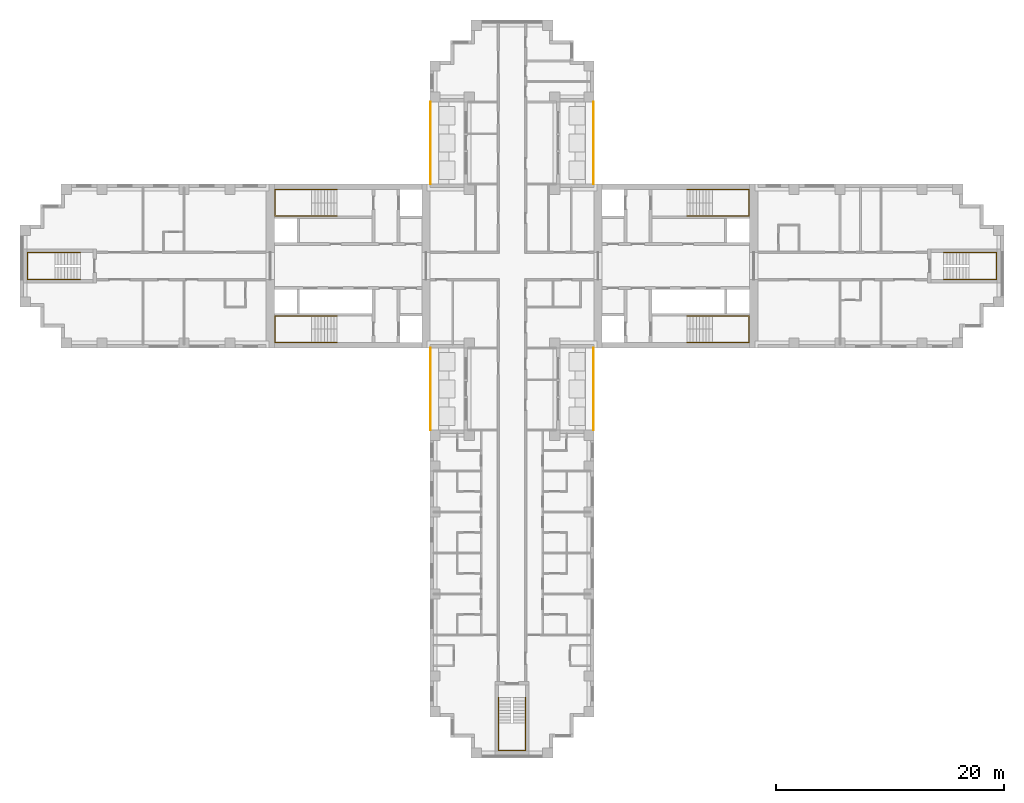
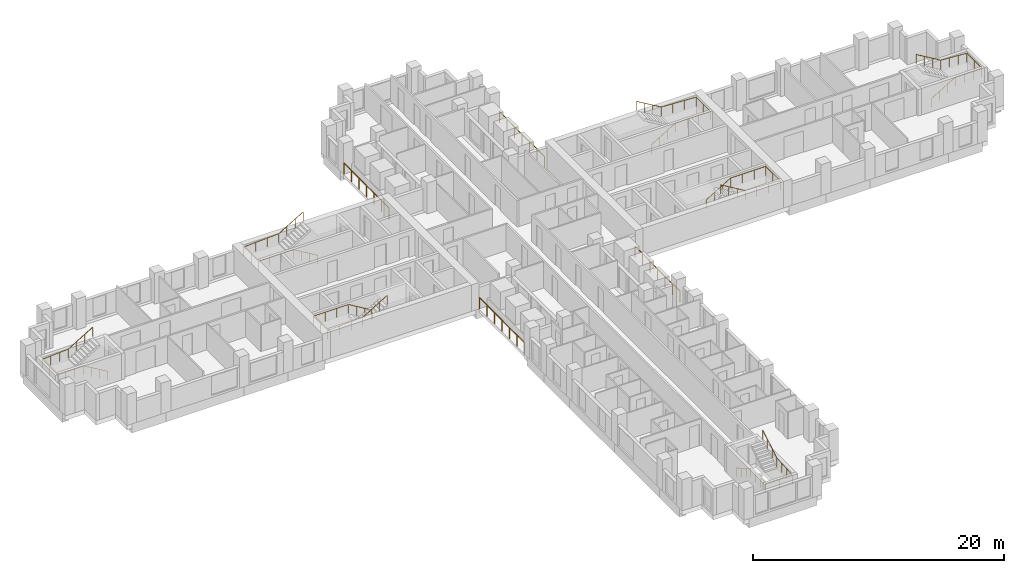
# One storey, part 13 of 14: 11 railings.
"""IFC4 building model written with IfcOpenShell, lengths in metres."""

from ifc_helpers import new_model, si_unit, direction, frame, origin, origin_2d, place, context, subcontext, project, spatial, circle, extrude, material, type_object, element, save


model = new_model("IFC4")

# Units and contexts
model_context = context("Model", 3, precision=1e-05, world=origin(), true_north=direction((0.0, 1.0)))
body_context = subcontext(model_context, "Body", "Model", "MODEL_VIEW")
ifc_project = project(units=[si_unit("LENGTHUNIT", "METRE"), si_unit("AREAUNIT", "SQUARE_METRE"), si_unit("VOLUMEUNIT", "CUBIC_METRE"), si_unit("PLANEANGLEUNIT", "RADIAN"), si_unit("MASSUNIT", "GRAM", prefix="KILO")], contexts=[model_context])

# Site, building, storey
site_placement = place(None, origin())
site = spatial("IfcSite", under=ifc_project, at=site_placement, CompositionType="ELEMENT")
building_placement = place(site_placement, origin())
building = spatial("IfcBuilding", under=site, at=building_placement, Name="Fustian Cross Tower", CompositionType="ELEMENT")
storey_placement = place(building_placement, frame((0.0, 0.0, 93.89990234375)))
storey = spatial("IfcBuildingStorey", under=building, at=storey_placement, Name="L29", CompositionType="ELEMENT", Elevation=93.89990234375)

# Railings
ifc_material_1 = material(Name="Stainless steel and glass", Category="steel")
railing_type_1 = type_object("IfcRailingType", Name="GR1 BALCONY GUARD 1100", PredefinedType="GUARDRAIL", material=ifc_material_1)
for number, where, name in (
    (1, (7.14990234375, 7.199951171875, 0.0), "Balcony guard"),
    (2, (-7.14990234375, 7.199951171875, 0.0), "Balcony guard"),
    (3, (7.14990234375, -14.39990234375, 0.0), "Balcony guard"),
    (4, (-7.14990234375, -14.39990234375, 0.0), "Balcony guard"),
):
    element("IfcRailing", number, at=place(storey_placement, frame(where)), inside=storey, type_object=railing_type_1, Name=name, PredefinedType="GUARDRAIL", context=body_context, shape_type="SweptSolid", body=[
        extrude(circle(Radius=0.02392578125, at=origin_2d()), frame((0.0, 0.0, 1.076171875), z_axis=(0.0, 1.0, 0.0), x_axis=(-1.0, 0.0, 0.0)), (0.0, 0.0, 1.0), 7.199951171875),
        extrude(circle(Radius=0.02099609375, at=origin_2d()), origin(), (0.0, 0.0, 1.0), 1.052001953125),
        extrude(circle(Radius=0.02099609375, at=origin_2d()), frame((0.0, 1.199951171875, 0.0)), (0.0, 0.0, 1.0), 1.052001953125),
        extrude(circle(Radius=0.02099609375, at=origin_2d()), frame((0.0, 2.39990234375, 0.0)), (0.0, 0.0, 1.0), 1.052001953125),
        extrude(circle(Radius=0.02099609375, at=origin_2d()), frame((0.0, 3.60009765625, 0.0)), (0.0, 0.0, 1.0), 1.052001953125),
        extrude(circle(Radius=0.02099609375, at=origin_2d()), frame((0.0, 4.800048828125, 0.0)), (0.0, 0.0, 1.0), 1.052001953125),
        extrude(circle(Radius=0.02099609375, at=origin_2d()), frame((0.0, 6.0, 0.0)), (0.0, 0.0, 1.0), 1.052001953125),
        extrude(circle(Radius=0.02099609375, at=origin_2d()), frame((0.0, 7.199951171875, 0.0)), (0.0, 0.0, 1.0), 1.052001953125),
    ])
ifc_material_2 = material(Name="Stainless steel", Category="steel")
railing_type_2 = type_object("IfcRailingType", Name="STAIR HANDRAIL", PredefinedType="HANDRAIL", material=ifc_material_2)
railing_1_placement = place(storey_placement, frame((15.35009765625, 4.39990234375, 0.166748046875)))
element("IfcRailing", 5, at=railing_1_placement, inside=storey, type_object=railing_type_2, Name="Stair ST1 handrail 1", PredefinedType="HANDRAIL", context=body_context, shape_type="SweptSolid", body=[
    extrude(circle(Radius=0.02490234375, at=origin_2d()), frame((0.0, 0.0, 0.875), z_axis=(0.859305625298, 0.0, 0.511462454469), x_axis=(0.0, 1.0, 0.0)), (0.0, 0.0, 1.0), 2.606689453125),
    extrude(circle(Radius=0.02490234375, at=origin_2d()), frame((2.239990234375, 0.0, 2.2080078125), z_axis=(1.0, 0.0, 0.0), x_axis=(0.0, 1.0, 0.0)), (0.0, 0.0, 1.0), 3.219970703125),
    extrude(circle(Radius=0.02490234375, at=origin_2d()), frame((5.4599609375, 0.0, 2.2080078125), z_axis=(0.0, 1.0, 0.0), x_axis=(-1.0, 0.0, 0.0)), (0.0, 0.0, 1.0), 2.300048828125),
    extrude(circle(Radius=0.02490234375, at=origin_2d()), frame((5.4599609375, 2.300048828125, 2.2080078125), z_axis=(-0.998661817807, 0.0, 0.051716280352), x_axis=(0.0, -1.0, 0.0)), (0.0, 0.0, 1.0), 3.224365234375),
    extrude(circle(Radius=0.02490234375, at=origin_2d()), frame((2.239990234375, 2.300048828125, 2.375), z_axis=(-0.859305625298, 0.0, 0.511462454469), x_axis=(0.0, -1.0, 0.0)), (0.0, 0.0, 1.0), 2.606689453125),
    extrude(circle(Radius=0.02001953125, at=origin_2d()), origin(), (0.0, 0.0, 1.0), 0.849853515625),
    extrude(circle(Radius=0.02001953125, at=origin_2d()), frame((0.74658203125, 0.0, 0.4443359375)), (0.0, 0.0, 1.0), 0.849853515625),
    extrude(circle(Radius=0.02001953125, at=origin_2d()), frame((1.493408203125, 0.0, 0.888916015625)), (0.0, 0.0, 1.0), 0.849853515625),
    extrude(circle(Radius=0.02001953125, at=origin_2d()), frame((2.239990234375, 0.0, 1.333251953125)), (0.0, 0.0, 1.0), 0.849853515625),
    extrude(circle(Radius=0.02001953125, at=origin_2d()), frame((3.313232421875, 0.0, 1.333251953125)), (0.0, 0.0, 1.0), 0.849853515625),
    extrude(circle(Radius=0.02001953125, at=origin_2d()), frame((4.38671875, 0.0, 1.333251953125)), (0.0, 0.0, 1.0), 0.849853515625),
    extrude(circle(Radius=0.02001953125, at=origin_2d()), frame((5.4599609375, 0.0, 1.333251953125)), (0.0, 0.0, 1.0), 0.849853515625),
    extrude(circle(Radius=0.02001953125, at=origin_2d()), frame((5.4599609375, 1.14990234375, 1.333251953125)), (0.0, 0.0, 1.0), 0.849853515625),
    extrude(circle(Radius=0.02001953125, at=origin_2d()), frame((5.4599609375, 2.300048828125, 1.333251953125)), (0.0, 0.0, 1.0), 0.849853515625),
    extrude(circle(Radius=0.02001953125, at=origin_2d()), frame((4.38671875, 2.300048828125, 1.388916015625)), (0.0, 0.0, 1.0), 0.849853515625),
    extrude(circle(Radius=0.02001953125, at=origin_2d()), frame((3.313232421875, 2.300048828125, 1.4443359375)), (0.0, 0.0, 1.0), 0.849853515625),
    extrude(circle(Radius=0.02001953125, at=origin_2d()), frame((2.239990234375, 2.300048828125, 1.5)), (0.0, 0.0, 1.0), 0.849853515625),
    extrude(circle(Radius=0.02001953125, at=origin_2d()), frame((1.493408203125, 2.300048828125, 1.9443359375)), (0.0, 0.0, 1.0), 0.849853515625),
    extrude(circle(Radius=0.02001953125, at=origin_2d()), frame((0.74658203125, 2.300048828125, 2.388916015625)), (0.0, 0.0, 1.0), 0.849853515625),
    extrude(circle(Radius=0.02001953125, at=origin_2d()), frame((0.0, 2.300048828125, 2.833251953125)), (0.0, 0.0, 1.0), 0.849853515625),
])
railing_2_placement = place(storey_placement, frame((15.35009765625, -4.39990234375, 0.166748046875)))
element("IfcRailing", 6, at=railing_2_placement, inside=storey, type_object=railing_type_2, Name="Stair ST2 handrail 1", PredefinedType="HANDRAIL", context=body_context, shape_type="SweptSolid", body=[
    extrude(circle(Radius=0.02490234375, at=origin_2d()), frame((0.0, 0.0, 0.875), z_axis=(0.859305625298, 0.0, 0.511462454469), x_axis=(0.0, 1.0, 0.0)), (0.0, 0.0, 1.0), 2.606689453125),
    extrude(circle(Radius=0.02490234375, at=origin_2d()), frame((2.239990234375, 0.0, 2.2080078125), z_axis=(1.0, 0.0, 0.0), x_axis=(0.0, 1.0, 0.0)), (0.0, 0.0, 1.0), 3.219970703125),
    extrude(circle(Radius=0.02490234375, at=origin_2d()), frame((5.4599609375, 0.0, 2.2080078125), z_axis=(0.0, -1.0, 0.0), x_axis=(1.0, 0.0, 0.0)), (0.0, 0.0, 1.0), 2.300048828125),
    extrude(circle(Radius=0.02490234375, at=origin_2d()), frame((5.4599609375, -2.300048828125, 2.2080078125), z_axis=(-0.998661817807, 0.0, 0.051716280352), x_axis=(0.0, -1.0, 0.0)), (0.0, 0.0, 1.0), 3.224365234375),
    extrude(circle(Radius=0.02490234375, at=origin_2d()), frame((2.239990234375, -2.300048828125, 2.375), z_axis=(-0.859305625298, 0.0, 0.511462454469), x_axis=(0.0, -1.0, 0.0)), (0.0, 0.0, 1.0), 2.606689453125),
    extrude(circle(Radius=0.02001953125, at=origin_2d()), origin(), (0.0, 0.0, 1.0), 0.849853515625),
    extrude(circle(Radius=0.02001953125, at=origin_2d()), frame((0.74658203125, 0.0, 0.4443359375)), (0.0, 0.0, 1.0), 0.849853515625),
    extrude(circle(Radius=0.02001953125, at=origin_2d()), frame((1.493408203125, 0.0, 0.888916015625)), (0.0, 0.0, 1.0), 0.849853515625),
    extrude(circle(Radius=0.02001953125, at=origin_2d()), frame((2.239990234375, 0.0, 1.333251953125)), (0.0, 0.0, 1.0), 0.849853515625),
    extrude(circle(Radius=0.02001953125, at=origin_2d()), frame((3.313232421875, 0.0, 1.333251953125)), (0.0, 0.0, 1.0), 0.849853515625),
    extrude(circle(Radius=0.02001953125, at=origin_2d()), frame((4.38671875, 0.0, 1.333251953125)), (0.0, 0.0, 1.0), 0.849853515625),
    extrude(circle(Radius=0.02001953125, at=origin_2d()), frame((5.4599609375, 0.0, 1.333251953125)), (0.0, 0.0, 1.0), 0.849853515625),
    extrude(circle(Radius=0.02001953125, at=origin_2d()), frame((5.4599609375, -1.14990234375, 1.333251953125)), (0.0, 0.0, 1.0), 0.849853515625),
    extrude(circle(Radius=0.02001953125, at=origin_2d()), frame((5.4599609375, -2.300048828125, 1.333251953125)), (0.0, 0.0, 1.0), 0.849853515625),
    extrude(circle(Radius=0.02001953125, at=origin_2d()), frame((4.38671875, -2.300048828125, 1.388916015625)), (0.0, 0.0, 1.0), 0.849853515625),
    extrude(circle(Radius=0.02001953125, at=origin_2d()), frame((3.313232421875, -2.300048828125, 1.4443359375)), (0.0, 0.0, 1.0), 0.849853515625),
    extrude(circle(Radius=0.02001953125, at=origin_2d()), frame((2.239990234375, -2.300048828125, 1.5)), (0.0, 0.0, 1.0), 0.849853515625),
    extrude(circle(Radius=0.02001953125, at=origin_2d()), frame((1.493408203125, -2.300048828125, 1.9443359375)), (0.0, 0.0, 1.0), 0.849853515625),
    extrude(circle(Radius=0.02001953125, at=origin_2d()), frame((0.74658203125, -2.300048828125, 2.388916015625)), (0.0, 0.0, 1.0), 0.849853515625),
    extrude(circle(Radius=0.02001953125, at=origin_2d()), frame((0.0, -2.300048828125, 2.833251953125)), (0.0, 0.0, 1.0), 0.849853515625),
])
railing_3_placement = place(storey_placement, frame((-15.35009765625, 4.39990234375, 0.166748046875)))
element("IfcRailing", 7, at=railing_3_placement, inside=storey, type_object=railing_type_2, Name="Stair ST3 handrail 1", PredefinedType="HANDRAIL", context=body_context, shape_type="SweptSolid", body=[
    extrude(circle(Radius=0.02490234375, at=origin_2d()), frame((0.0, 0.0, 0.875), z_axis=(-0.859305625298, 0.0, 0.511462454469), x_axis=(0.0, -1.0, 0.0)), (0.0, 0.0, 1.0), 2.606689453125),
    extrude(circle(Radius=0.02490234375, at=origin_2d()), frame((-2.239990234375, 0.0, 2.2080078125), z_axis=(-1.0, 0.0, 0.0), x_axis=(0.0, -1.0, 0.0)), (0.0, 0.0, 1.0), 3.219970703125),
    extrude(circle(Radius=0.02490234375, at=origin_2d()), frame((-5.4599609375, 0.0, 2.2080078125), z_axis=(0.0, 1.0, 0.0), x_axis=(-1.0, 0.0, 0.0)), (0.0, 0.0, 1.0), 2.300048828125),
    extrude(circle(Radius=0.02490234375, at=origin_2d()), frame((-5.4599609375, 2.300048828125, 2.2080078125), z_axis=(0.998661817807, 0.0, 0.051716280352), x_axis=(0.0, 1.0, 0.0)), (0.0, 0.0, 1.0), 3.224365234375),
    extrude(circle(Radius=0.02490234375, at=origin_2d()), frame((-2.239990234375, 2.300048828125, 2.375), z_axis=(0.859305625298, 0.0, 0.511462454469), x_axis=(0.0, 1.0, 0.0)), (0.0, 0.0, 1.0), 2.606689453125),
    extrude(circle(Radius=0.02001953125, at=origin_2d()), origin(), (0.0, 0.0, 1.0), 0.849853515625),
    extrude(circle(Radius=0.02001953125, at=origin_2d()), frame((-0.74658203125, 0.0, 0.4443359375)), (0.0, 0.0, 1.0), 0.849853515625),
    extrude(circle(Radius=0.02001953125, at=origin_2d()), frame((-1.493408203125, 0.0, 0.888916015625)), (0.0, 0.0, 1.0), 0.849853515625),
    extrude(circle(Radius=0.02001953125, at=origin_2d()), frame((-2.239990234375, 0.0, 1.333251953125)), (0.0, 0.0, 1.0), 0.849853515625),
    extrude(circle(Radius=0.02001953125, at=origin_2d()), frame((-3.313232421875, 0.0, 1.333251953125)), (0.0, 0.0, 1.0), 0.849853515625),
    extrude(circle(Radius=0.02001953125, at=origin_2d()), frame((-4.38671875, 0.0, 1.333251953125)), (0.0, 0.0, 1.0), 0.849853515625),
    extrude(circle(Radius=0.02001953125, at=origin_2d()), frame((-5.4599609375, 0.0, 1.333251953125)), (0.0, 0.0, 1.0), 0.849853515625),
    extrude(circle(Radius=0.02001953125, at=origin_2d()), frame((-5.4599609375, 1.14990234375, 1.333251953125)), (0.0, 0.0, 1.0), 0.849853515625),
    extrude(circle(Radius=0.02001953125, at=origin_2d()), frame((-5.4599609375, 2.300048828125, 1.333251953125)), (0.0, 0.0, 1.0), 0.849853515625),
    extrude(circle(Radius=0.02001953125, at=origin_2d()), frame((-4.38671875, 2.300048828125, 1.388916015625)), (0.0, 0.0, 1.0), 0.849853515625),
    extrude(circle(Radius=0.02001953125, at=origin_2d()), frame((-3.313232421875, 2.300048828125, 1.4443359375)), (0.0, 0.0, 1.0), 0.849853515625),
    extrude(circle(Radius=0.02001953125, at=origin_2d()), frame((-2.239990234375, 2.300048828125, 1.5)), (0.0, 0.0, 1.0), 0.849853515625),
    extrude(circle(Radius=0.02001953125, at=origin_2d()), frame((-1.493408203125, 2.300048828125, 1.9443359375)), (0.0, 0.0, 1.0), 0.849853515625),
    extrude(circle(Radius=0.02001953125, at=origin_2d()), frame((-0.74658203125, 2.300048828125, 2.388916015625)), (0.0, 0.0, 1.0), 0.849853515625),
    extrude(circle(Radius=0.02001953125, at=origin_2d()), frame((0.0, 2.300048828125, 2.833251953125)), (0.0, 0.0, 1.0), 0.849853515625),
])
railing_4_placement = place(storey_placement, frame((-15.35009765625, -4.39990234375, 0.166748046875)))
element("IfcRailing", 8, at=railing_4_placement, inside=storey, type_object=railing_type_2, Name="Stair ST4 handrail 1", PredefinedType="HANDRAIL", context=body_context, shape_type="SweptSolid", body=[
    extrude(circle(Radius=0.02490234375, at=origin_2d()), frame((0.0, 0.0, 0.875), z_axis=(-0.859305625298, 0.0, 0.511462454469), x_axis=(0.0, -1.0, 0.0)), (0.0, 0.0, 1.0), 2.606689453125),
    extrude(circle(Radius=0.02490234375, at=origin_2d()), frame((-2.239990234375, 0.0, 2.2080078125), z_axis=(-1.0, 0.0, 0.0), x_axis=(0.0, -1.0, 0.0)), (0.0, 0.0, 1.0), 3.219970703125),
    extrude(circle(Radius=0.02490234375, at=origin_2d()), frame((-5.4599609375, 0.0, 2.2080078125), z_axis=(0.0, -1.0, 0.0), x_axis=(1.0, 0.0, 0.0)), (0.0, 0.0, 1.0), 2.300048828125),
    extrude(circle(Radius=0.02490234375, at=origin_2d()), frame((-5.4599609375, -2.300048828125, 2.2080078125), z_axis=(0.998661817807, 0.0, 0.051716280352), x_axis=(0.0, 1.0, 0.0)), (0.0, 0.0, 1.0), 3.224365234375),
    extrude(circle(Radius=0.02490234375, at=origin_2d()), frame((-2.239990234375, -2.300048828125, 2.375), z_axis=(0.859305625298, 0.0, 0.511462454469), x_axis=(0.0, 1.0, 0.0)), (0.0, 0.0, 1.0), 2.606689453125),
    extrude(circle(Radius=0.02001953125, at=origin_2d()), origin(), (0.0, 0.0, 1.0), 0.849853515625),
    extrude(circle(Radius=0.02001953125, at=origin_2d()), frame((-0.74658203125, 0.0, 0.4443359375)), (0.0, 0.0, 1.0), 0.849853515625),
    extrude(circle(Radius=0.02001953125, at=origin_2d()), frame((-1.493408203125, 0.0, 0.888916015625)), (0.0, 0.0, 1.0), 0.849853515625),
    extrude(circle(Radius=0.02001953125, at=origin_2d()), frame((-2.239990234375, 0.0, 1.333251953125)), (0.0, 0.0, 1.0), 0.849853515625),
    extrude(circle(Radius=0.02001953125, at=origin_2d()), frame((-3.313232421875, 0.0, 1.333251953125)), (0.0, 0.0, 1.0), 0.849853515625),
    extrude(circle(Radius=0.02001953125, at=origin_2d()), frame((-4.38671875, 0.0, 1.333251953125)), (0.0, 0.0, 1.0), 0.849853515625),
    extrude(circle(Radius=0.02001953125, at=origin_2d()), frame((-5.4599609375, 0.0, 1.333251953125)), (0.0, 0.0, 1.0), 0.849853515625),
    extrude(circle(Radius=0.02001953125, at=origin_2d()), frame((-5.4599609375, -1.14990234375, 1.333251953125)), (0.0, 0.0, 1.0), 0.849853515625),
    extrude(circle(Radius=0.02001953125, at=origin_2d()), frame((-5.4599609375, -2.300048828125, 1.333251953125)), (0.0, 0.0, 1.0), 0.849853515625),
    extrude(circle(Radius=0.02001953125, at=origin_2d()), frame((-4.38671875, -2.300048828125, 1.388916015625)), (0.0, 0.0, 1.0), 0.849853515625),
    extrude(circle(Radius=0.02001953125, at=origin_2d()), frame((-3.313232421875, -2.300048828125, 1.4443359375)), (0.0, 0.0, 1.0), 0.849853515625),
    extrude(circle(Radius=0.02001953125, at=origin_2d()), frame((-2.239990234375, -2.300048828125, 1.5)), (0.0, 0.0, 1.0), 0.849853515625),
    extrude(circle(Radius=0.02001953125, at=origin_2d()), frame((-1.493408203125, -2.300048828125, 1.9443359375)), (0.0, 0.0, 1.0), 0.849853515625),
    extrude(circle(Radius=0.02001953125, at=origin_2d()), frame((-0.74658203125, -2.300048828125, 2.388916015625)), (0.0, 0.0, 1.0), 0.849853515625),
    extrude(circle(Radius=0.02001953125, at=origin_2d()), frame((0.0, -2.300048828125, 2.833251953125)), (0.0, 0.0, 1.0), 0.849853515625),
])
railing_5_placement = place(storey_placement, frame((-1.199951171875, -37.89990234375, 0.166748046875)))
element("IfcRailing", 9, at=railing_5_placement, inside=storey, type_object=railing_type_2, Name="Stair ST6 handrail 1", PredefinedType="HANDRAIL", context=body_context, shape_type="SweptSolid", body=[
    extrude(circle(Radius=0.02490234375, at=origin_2d()), frame((0.0, 0.0, 0.875), z_axis=(0.0, -0.859305625298, 0.511462454469), x_axis=(1.0, 0.0, 0.0)), (0.0, 0.0, 1.0), 2.606689453125),
    extrude(circle(Radius=0.02490234375, at=origin_2d()), frame((0.0, -2.239990234375, 2.2080078125), z_axis=(0.0, -1.0, 0.0), x_axis=(1.0, 0.0, 0.0)), (0.0, 0.0, 1.0), 2.420166015625),
    extrude(circle(Radius=0.02490234375, at=origin_2d()), frame((0.0, -4.66015625, 2.2080078125), z_axis=(1.0, 0.0, 0.0), x_axis=(0.0, 1.0, 0.0)), (0.0, 0.0, 1.0), 2.39990234375),
    extrude(circle(Radius=0.02490234375, at=origin_2d()), frame((2.39990234375, -4.66015625, 2.2080078125), z_axis=(0.0, 0.997634852044, 0.068736467663), x_axis=(-1.0, 0.0, 0.0)), (0.0, 0.0, 1.0), 2.426025390625),
    extrude(circle(Radius=0.02490234375, at=origin_2d()), frame((2.39990234375, -2.239990234375, 2.375), z_axis=(0.0, 0.859305625298, 0.511462454469), x_axis=(-1.0, 0.0, 0.0)), (0.0, 0.0, 1.0), 2.606689453125),
    extrude(circle(Radius=0.02001953125, at=origin_2d()), origin(), (0.0, 0.0, 1.0), 0.849853515625),
    extrude(circle(Radius=0.02001953125, at=origin_2d()), frame((0.0, -0.74658203125, 0.4443359375)), (0.0, 0.0, 1.0), 0.849853515625),
    extrude(circle(Radius=0.02001953125, at=origin_2d()), frame((0.0, -1.493408203125, 0.888916015625)), (0.0, 0.0, 1.0), 0.849853515625),
    extrude(circle(Radius=0.02001953125, at=origin_2d()), frame((0.0, -2.239990234375, 1.333251953125)), (0.0, 0.0, 1.0), 0.849853515625),
    extrude(circle(Radius=0.02001953125, at=origin_2d()), frame((0.0, -3.046630859375, 1.333251953125)), (0.0, 0.0, 1.0), 0.849853515625),
    extrude(circle(Radius=0.02001953125, at=origin_2d()), frame((0.0, -3.853515625, 1.333251953125)), (0.0, 0.0, 1.0), 0.849853515625),
    extrude(circle(Radius=0.02001953125, at=origin_2d()), frame((0.0, -4.66015625, 1.333251953125)), (0.0, 0.0, 1.0), 0.849853515625),
    extrude(circle(Radius=0.02001953125, at=origin_2d()), frame((1.199951171875, -4.66015625, 1.333251953125)), (0.0, 0.0, 1.0), 0.849853515625),
    extrude(circle(Radius=0.02001953125, at=origin_2d()), frame((2.39990234375, -4.66015625, 1.333251953125)), (0.0, 0.0, 1.0), 0.849853515625),
    extrude(circle(Radius=0.02001953125, at=origin_2d()), frame((2.39990234375, -3.853515625, 1.388916015625)), (0.0, 0.0, 1.0), 0.849853515625),
    extrude(circle(Radius=0.02001953125, at=origin_2d()), frame((2.39990234375, -3.046630859375, 1.4443359375)), (0.0, 0.0, 1.0), 0.849853515625),
    extrude(circle(Radius=0.02001953125, at=origin_2d()), frame((2.39990234375, -2.239990234375, 1.5)), (0.0, 0.0, 1.0), 0.849853515625),
    extrude(circle(Radius=0.02001953125, at=origin_2d()), frame((2.39990234375, -1.493408203125, 1.9443359375)), (0.0, 0.0, 1.0), 0.849853515625),
    extrude(circle(Radius=0.02001953125, at=origin_2d()), frame((2.39990234375, -0.74658203125, 2.388916015625)), (0.0, 0.0, 1.0), 0.849853515625),
    extrude(circle(Radius=0.02001953125, at=origin_2d()), frame((2.39990234375, 0.0, 2.833251953125)), (0.0, 0.0, 1.0), 0.849853515625),
])
railing_6_placement = place(storey_placement, frame((37.89990234375, -1.199951171875, 0.166748046875)))
element("IfcRailing", 10, at=railing_6_placement, inside=storey, type_object=railing_type_2, Name="Stair ST8 handrail 1", PredefinedType="HANDRAIL", context=body_context, shape_type="SweptSolid", body=[
    extrude(circle(Radius=0.02490234375, at=origin_2d()), frame((0.0, 0.0, 0.875), z_axis=(0.859305625298, 0.0, 0.511462454469), x_axis=(0.0, 1.0, 0.0)), (0.0, 0.0, 1.0), 2.606689453125),
    extrude(circle(Radius=0.02490234375, at=origin_2d()), frame((2.239990234375, 0.0, 2.2080078125), z_axis=(1.0, 0.0, 0.0), x_axis=(0.0, 1.0, 0.0)), (0.0, 0.0, 1.0), 2.420166015625),
    extrude(circle(Radius=0.02490234375, at=origin_2d()), frame((4.66015625, 0.0, 2.2080078125), z_axis=(0.0, 1.0, 0.0), x_axis=(-1.0, 0.0, 0.0)), (0.0, 0.0, 1.0), 2.39990234375),
    extrude(circle(Radius=0.02490234375, at=origin_2d()), frame((4.66015625, 2.39990234375, 2.2080078125), z_axis=(-0.997634852044, 0.0, 0.068736467663), x_axis=(0.0, -1.0, 0.0)), (0.0, 0.0, 1.0), 2.426025390625),
    extrude(circle(Radius=0.02490234375, at=origin_2d()), frame((2.239990234375, 2.39990234375, 2.375), z_axis=(-0.859305625298, 0.0, 0.511462454469), x_axis=(0.0, -1.0, 0.0)), (0.0, 0.0, 1.0), 2.606689453125),
    extrude(circle(Radius=0.02001953125, at=origin_2d()), origin(), (0.0, 0.0, 1.0), 0.849853515625),
    extrude(circle(Radius=0.02001953125, at=origin_2d()), frame((0.74658203125, 0.0, 0.4443359375)), (0.0, 0.0, 1.0), 0.849853515625),
    extrude(circle(Radius=0.02001953125, at=origin_2d()), frame((1.493408203125, 0.0, 0.888916015625)), (0.0, 0.0, 1.0), 0.849853515625),
    extrude(circle(Radius=0.02001953125, at=origin_2d()), frame((2.239990234375, 0.0, 1.333251953125)), (0.0, 0.0, 1.0), 0.849853515625),
    extrude(circle(Radius=0.02001953125, at=origin_2d()), frame((3.046630859375, 0.0, 1.333251953125)), (0.0, 0.0, 1.0), 0.849853515625),
    extrude(circle(Radius=0.02001953125, at=origin_2d()), frame((3.853515625, 0.0, 1.333251953125)), (0.0, 0.0, 1.0), 0.849853515625),
    extrude(circle(Radius=0.02001953125, at=origin_2d()), frame((4.66015625, 0.0, 1.333251953125)), (0.0, 0.0, 1.0), 0.849853515625),
    extrude(circle(Radius=0.02001953125, at=origin_2d()), frame((4.66015625, 1.199951171875, 1.333251953125)), (0.0, 0.0, 1.0), 0.849853515625),
    extrude(circle(Radius=0.02001953125, at=origin_2d()), frame((4.66015625, 2.39990234375, 1.333251953125)), (0.0, 0.0, 1.0), 0.849853515625),
    extrude(circle(Radius=0.02001953125, at=origin_2d()), frame((3.853515625, 2.39990234375, 1.388916015625)), (0.0, 0.0, 1.0), 0.849853515625),
    extrude(circle(Radius=0.02001953125, at=origin_2d()), frame((3.046630859375, 2.39990234375, 1.4443359375)), (0.0, 0.0, 1.0), 0.849853515625),
    extrude(circle(Radius=0.02001953125, at=origin_2d()), frame((2.239990234375, 2.39990234375, 1.5)), (0.0, 0.0, 1.0), 0.849853515625),
    extrude(circle(Radius=0.02001953125, at=origin_2d()), frame((1.493408203125, 2.39990234375, 1.9443359375)), (0.0, 0.0, 1.0), 0.849853515625),
    extrude(circle(Radius=0.02001953125, at=origin_2d()), frame((0.74658203125, 2.39990234375, 2.388916015625)), (0.0, 0.0, 1.0), 0.849853515625),
    extrude(circle(Radius=0.02001953125, at=origin_2d()), frame((0.0, 2.39990234375, 2.833251953125)), (0.0, 0.0, 1.0), 0.849853515625),
])
railing_7_placement = place(storey_placement, frame((-37.89990234375, -1.199951171875, 0.166748046875)))
element("IfcRailing", 11, at=railing_7_placement, inside=storey, type_object=railing_type_2, Name="Stair ST9 handrail 1", PredefinedType="HANDRAIL", context=body_context, shape_type="SweptSolid", body=[
    extrude(circle(Radius=0.02490234375, at=origin_2d()), frame((0.0, 0.0, 0.875), z_axis=(-0.859305625298, 0.0, 0.511462454469), x_axis=(0.0, -1.0, 0.0)), (0.0, 0.0, 1.0), 2.606689453125),
    extrude(circle(Radius=0.02490234375, at=origin_2d()), frame((-2.239990234375, 0.0, 2.2080078125), z_axis=(-1.0, 0.0, 0.0), x_axis=(0.0, -1.0, 0.0)), (0.0, 0.0, 1.0), 2.420166015625),
    extrude(circle(Radius=0.02490234375, at=origin_2d()), frame((-4.66015625, 0.0, 2.2080078125), z_axis=(0.0, 1.0, 0.0), x_axis=(-1.0, 0.0, 0.0)), (0.0, 0.0, 1.0), 2.39990234375),
    extrude(circle(Radius=0.02490234375, at=origin_2d()), frame((-4.66015625, 2.39990234375, 2.2080078125), z_axis=(0.997634852044, 0.0, 0.068736467663), x_axis=(0.0, 1.0, 0.0)), (0.0, 0.0, 1.0), 2.426025390625),
    extrude(circle(Radius=0.02490234375, at=origin_2d()), frame((-2.239990234375, 2.39990234375, 2.375), z_axis=(0.859305625298, 0.0, 0.511462454469), x_axis=(0.0, 1.0, 0.0)), (0.0, 0.0, 1.0), 2.606689453125),
    extrude(circle(Radius=0.02001953125, at=origin_2d()), origin(), (0.0, 0.0, 1.0), 0.849853515625),
    extrude(circle(Radius=0.02001953125, at=origin_2d()), frame((-0.74658203125, 0.0, 0.4443359375)), (0.0, 0.0, 1.0), 0.849853515625),
    extrude(circle(Radius=0.02001953125, at=origin_2d()), frame((-1.493408203125, 0.0, 0.888916015625)), (0.0, 0.0, 1.0), 0.849853515625),
    extrude(circle(Radius=0.02001953125, at=origin_2d()), frame((-2.239990234375, 0.0, 1.333251953125)), (0.0, 0.0, 1.0), 0.849853515625),
    extrude(circle(Radius=0.02001953125, at=origin_2d()), frame((-3.046630859375, 0.0, 1.333251953125)), (0.0, 0.0, 1.0), 0.849853515625),
    extrude(circle(Radius=0.02001953125, at=origin_2d()), frame((-3.853515625, 0.0, 1.333251953125)), (0.0, 0.0, 1.0), 0.849853515625),
    extrude(circle(Radius=0.02001953125, at=origin_2d()), frame((-4.66015625, 0.0, 1.333251953125)), (0.0, 0.0, 1.0), 0.849853515625),
    extrude(circle(Radius=0.02001953125, at=origin_2d()), frame((-4.66015625, 1.199951171875, 1.333251953125)), (0.0, 0.0, 1.0), 0.849853515625),
    extrude(circle(Radius=0.02001953125, at=origin_2d()), frame((-4.66015625, 2.39990234375, 1.333251953125)), (0.0, 0.0, 1.0), 0.849853515625),
    extrude(circle(Radius=0.02001953125, at=origin_2d()), frame((-3.853515625, 2.39990234375, 1.388916015625)), (0.0, 0.0, 1.0), 0.849853515625),
    extrude(circle(Radius=0.02001953125, at=origin_2d()), frame((-3.046630859375, 2.39990234375, 1.4443359375)), (0.0, 0.0, 1.0), 0.849853515625),
    extrude(circle(Radius=0.02001953125, at=origin_2d()), frame((-2.239990234375, 2.39990234375, 1.5)), (0.0, 0.0, 1.0), 0.849853515625),
    extrude(circle(Radius=0.02001953125, at=origin_2d()), frame((-1.493408203125, 2.39990234375, 1.9443359375)), (0.0, 0.0, 1.0), 0.849853515625),
    extrude(circle(Radius=0.02001953125, at=origin_2d()), frame((-0.74658203125, 2.39990234375, 2.388916015625)), (0.0, 0.0, 1.0), 0.849853515625),
    extrude(circle(Radius=0.02001953125, at=origin_2d()), frame((0.0, 2.39990234375, 2.833251953125)), (0.0, 0.0, 1.0), 0.849853515625),
])

save(model, "model.ifc")
